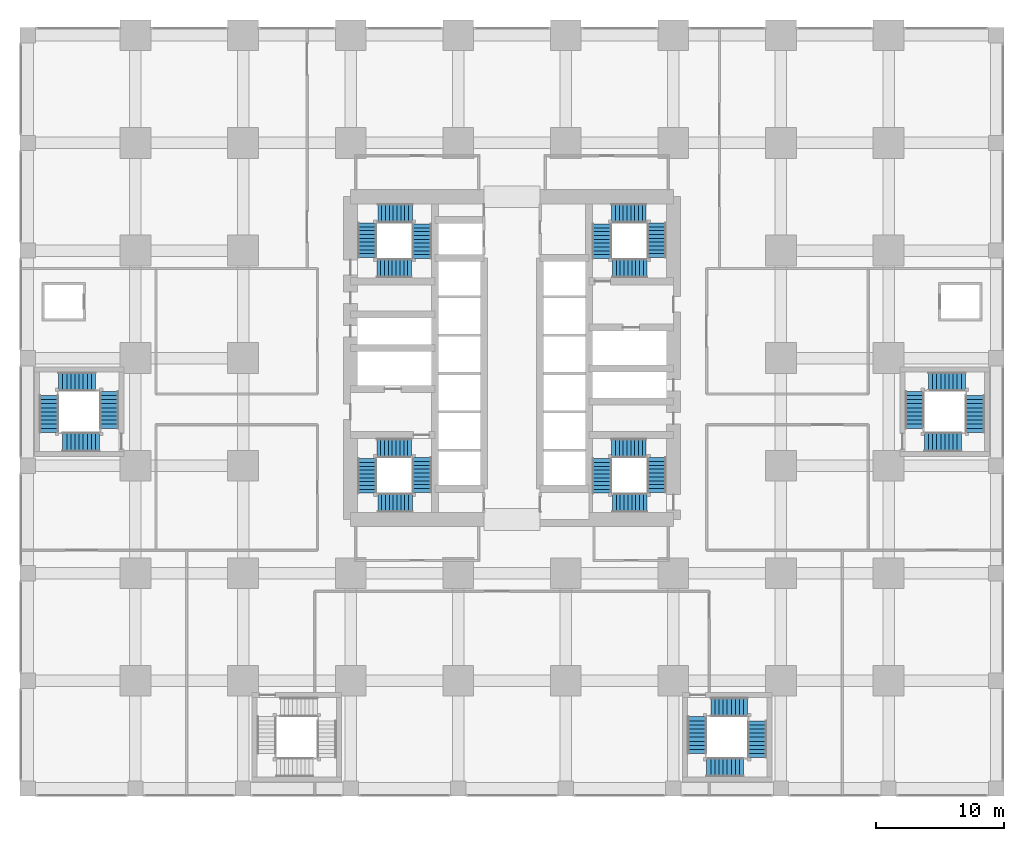
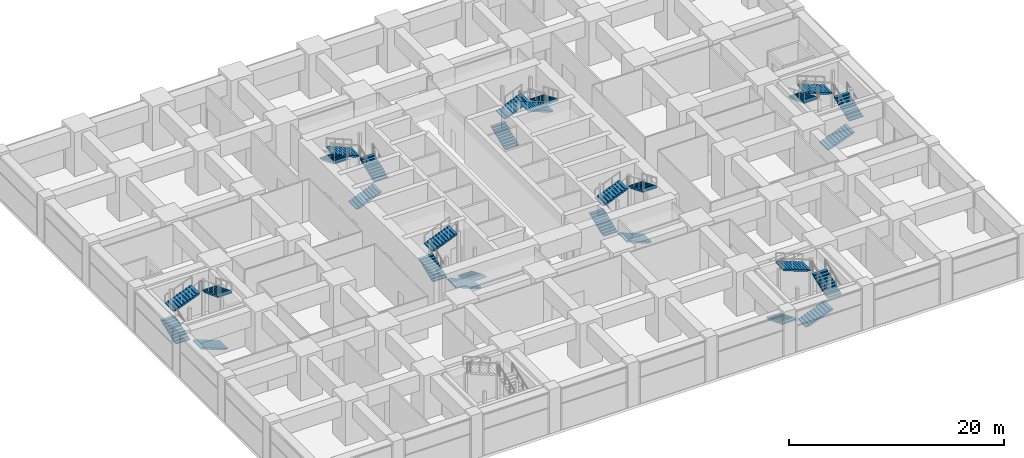
# One storey, part 40 of 49: 28 stair flights, 7 elements without a shape of their own.
"""IFC4 building model written with IfcOpenShell, lengths in metres."""

import ifcopenshell
import ifcopenshell.guid

model = None  # the IFC model being written
_history = None  # IfcOwnerHistory: only IFC2X3 demands one
_inside = {}  # id of a spatial element -> (the spatial element, [elements in it])
_under = {}  # id of a project, library or spatial element -> (it, [spatial elements below it])
_declared = {}  # id of a project -> (the project, [libraries it declares])
_typed = {}  # id of a type object -> (the type object, [elements of that type])
_made_of = {}  # id of a material, layer set ... -> (it, [elements and type objects made of it])


def new_model(schema):
    """Start an empty IFC model of exactly this schema.

    Asked for "IFC4X3", IfcOpenShell would pick the latest addendum, in which some entities
    have other attributes; the version numbers below select the first issue.
    IFC2X3 requires an IfcOwnerHistory on every rooted entity: one is made here for all.
    """
    global model, _history
    if schema == "IFC4X3":
        model = ifcopenshell.file(schema_version=(4, 3, 0, 0))
    else:
        model = ifcopenshell.file(schema=schema)
    _inside.clear()
    _under.clear()
    _declared.clear()
    _typed.clear()
    _made_of.clear()
    _history = None
    if model.schema == "IFC2X3":
        org = make("IfcOrganization", Name="unknown")
        user = make(
            "IfcPersonAndOrganization",
            ThePerson=make("IfcPerson", FamilyName="unknown"),
            TheOrganization=org,
        )
        app = make(
            "IfcApplication",
            ApplicationDeveloper=org,
            Version="unknown",
            ApplicationFullName="unknown",
            ApplicationIdentifier="unknown",
        )
        _history = make(
            "IfcOwnerHistory",
            OwningUser=user,
            OwningApplication=app,
            ChangeAction="ADDED",
            CreationDate=0,
        )
    return model


def make(cls, **values):
    """One entity of the class cls with the attributes given. An attribute that is None is left unset."""
    return model.create_entity(
        cls, **{name: value for name, value in values.items() if value is not None}
    )


def rooted(cls, **values):
    """An entity with a GlobalId (a new one), such as an element, a storey or a relation."""
    return make(cls, GlobalId=ifcopenshell.guid.new(), OwnerHistory=_history, **values)


def si_unit(unit_type, name, prefix=None):
    """IfcSIUnit, for example si_unit("LENGTHUNIT", "METRE", prefix="MILLI")."""
    return make("IfcSIUnit", UnitType=unit_type, Prefix=prefix, Name=name)


def assignment(units):
    """IfcUnitAssignment: the units of a project."""
    return None if units is None else make("IfcUnitAssignment", Units=units)


def point(xyz):
    """IfcCartesianPoint."""
    return None if xyz is None else make("IfcCartesianPoint", Coordinates=xyz)


def direction(xyz):
    """IfcDirection."""
    return None if xyz is None else make("IfcDirection", DirectionRatios=xyz)


def frame(location, z_axis=None, x_axis=None):
    """IfcAxis2Placement3D, a coordinate frame: its origin and axes. An axis left out is left unset."""
    return make(
        "IfcAxis2Placement3D",
        Location=point(location),
        Axis=direction(z_axis),
        RefDirection=direction(x_axis),
    )


def origin():
    """The frame at (0, 0, 0) with its axes left unset."""
    return frame((0.0, 0.0, 0.0))


def place(relative_to, where):
    """IfcLocalPlacement: puts the frame where relative to a parent placement (None: the world)."""
    return make(
        "IfcLocalPlacement", PlacementRelTo=relative_to, RelativePlacement=where
    )


def context(
    kind, dimensions, precision=None, world=None, true_north=None, identifier=None
):
    """IfcGeometricRepresentationContext, for example the 3D "Model" context."""
    return make(
        "IfcGeometricRepresentationContext",
        ContextIdentifier=identifier,
        ContextType=kind,
        CoordinateSpaceDimension=dimensions,
        Precision=precision,
        WorldCoordinateSystem=world,
        TrueNorth=true_north,
    )


def subcontext(parent, identifier, kind, view, scale=None):
    """IfcGeometricRepresentationSubContext, for example "Body" below "Model"."""
    return make(
        "IfcGeometricRepresentationSubContext",
        ContextIdentifier=identifier,
        ContextType=kind,
        ParentContext=parent,
        TargetScale=scale,
        TargetView=view,
    )


def project(units=None, contexts=None):
    """IfcProject with its units and contexts."""
    return rooted(
        "IfcProject",
        Name="project",
        RepresentationContexts=contexts,
        UnitsInContext=assignment(units),
    )


def spatial(cls, under=None, at=None, **own):
    """A site, building, storey or space (cls), placed at a placement, below another one or the project."""
    s = rooted(cls, ObjectPlacement=at, **own)
    if under is not None:
        _under.setdefault(under.id(), (under, []))[1].append(s)
    return s


def polyline(points):
    """IfcPolyline through the points."""
    return make("IfcPolyline", Points=[point(p) for p in points])


def outline(outer, holes=None, kind="AREA"):
    """IfcArbitraryClosedProfileDef: a profile drawn as a closed curve; with holes, ...WithVoids."""
    if holes is None:
        return make("IfcArbitraryClosedProfileDef", ProfileType=kind, OuterCurve=outer)
    return make(
        "IfcArbitraryProfileDefWithVoids",
        ProfileType=kind,
        OuterCurve=outer,
        InnerCurves=holes,
    )


def extrude(swept, where, along, depth):
    """IfcExtrudedAreaSolid: the profile swept, set in the frame where, extruded along a direction by depth."""
    return make(
        "IfcExtrudedAreaSolid",
        SweptArea=swept,
        Position=where,
        ExtrudedDirection=direction(along),
        Depth=depth,
    )


def shape(context_of_items, identifier, shape_type, items):
    """IfcShapeRepresentation: the items that make up one representation, for example the "Body"."""
    return make(
        "IfcShapeRepresentation",
        ContextOfItems=context_of_items,
        RepresentationIdentifier=identifier,
        RepresentationType=shape_type,
        Items=items,
    )


def material(Name=None, Category=None):
    """IfcMaterial."""
    return make("IfcMaterial", Name=Name, Category=Category)


def made_of(thing, what):
    """Note that an element or type object is made of a material, layer set ...; save() writes the relation."""
    if what is not None:
        _made_of.setdefault(what.id(), (what, []))[1].append(thing)
    return thing


def type_object(cls, material=None, **own):
    """A type object (cls), such as IfcWallType, which elements share."""
    return made_of(rooted(cls, **own), material)


def element(
    cls,
    number,
    at=None,
    inside=None,
    cuts=None,
    type_object=None,
    material=None,
    context=None,
    identifier="Body",
    shape_type=None,
    held_by="IfcProductDefinitionShape",
    body=None,
    shapes=None,
    **own,
):
    """One element of the class cls, such as IfcWall. Its Tag is "e" and its number.

    at: its placement. inside: the storey or other place that contains it. cuts: it is an
    opening in that element (IfcRelVoidsElement). A single representation is given by context,
    identifier, shape_type and body (its items); several are given by shapes. held_by: the class
    of the entity that holds the representations. save() writes the other relations.
    """
    e = rooted(cls, Tag="e%d" % number, ObjectPlacement=at, **own)
    if body is not None:
        shapes = [shape(context, identifier, shape_type, body)]
    if shapes is not None:
        e.Representation = make(held_by, Representations=shapes)
    if inside is not None:
        _inside.setdefault(inside.id(), (inside, []))[1].append(e)
    if cuts is not None:
        rooted(
            "IfcRelVoidsElement", RelatingBuildingElement=cuts, RelatedOpeningElement=e
        )
    if type_object is not None:
        _typed.setdefault(type_object.id(), (type_object, []))[1].append(e)
    return made_of(e, material)


def aggregate(whole, parts):
    """IfcRelAggregates: a whole, such as a stair, and the parts it consists of."""
    return rooted("IfcRelAggregates", RelatingObject=whole, RelatedObjects=parts)


def save(model, path):
    """Write the relations noted so far, then the file.

    IfcRelAggregates (storeys below a building ...), IfcRelContainedInSpatialStructure (elements
    in a storey), IfcRelDefinesByType, IfcRelAssociatesMaterial and IfcRelDeclares: one each for
    every whole, place, type object, material and project.
    """
    for whole, parts in _under.values():
        aggregate(whole, parts)
    for where, things in _inside.values():
        rooted(
            "IfcRelContainedInSpatialStructure",
            RelatedElements=things,
            RelatingStructure=where,
        )
    for kind, things in _typed.values():
        rooted("IfcRelDefinesByType", RelatedObjects=things, RelatingType=kind)
    for what, things in _made_of.values():
        rooted("IfcRelAssociatesMaterial", RelatedObjects=things, RelatingMaterial=what)
    for by, libraries in _declared.values():
        rooted("IfcRelDeclares", RelatingContext=by, RelatedDefinitions=libraries)
    model.write(path)


model = new_model("IFC4")

# Units and contexts
model_context = context("Model", 3, precision=1e-05, world=origin(), true_north=direction((0.0, 1.0)))
body_context = subcontext(model_context, "Body", "Model", "MODEL_VIEW")
ifc_project = project(units=[si_unit("LENGTHUNIT", "METRE"), si_unit("AREAUNIT", "SQUARE_METRE"), si_unit("VOLUMEUNIT", "CUBIC_METRE"), si_unit("PLANEANGLEUNIT", "RADIAN"), si_unit("MASSUNIT", "GRAM", prefix="KILO")], contexts=[model_context])

# Site, building, storey
site_placement = place(None, origin())
site = spatial("IfcSite", under=ifc_project, at=site_placement, CompositionType="ELEMENT")
building_placement = place(site_placement, origin())
building = spatial("IfcBuilding", under=site, at=building_placement, Name="Rekha Terrace Tower", CompositionType="ELEMENT")
storey_placement = place(building_placement, frame((0.0, 0.0, 5.39990234375)))
storey = spatial("IfcBuildingStorey", under=building, at=storey_placement, Name="L01", CompositionType="ELEMENT", Elevation=5.39990234375)

# Stair, stair flights
ifc_material = material(Name="Concrete M40", Category="concrete")
stair_type_1 = type_object("IfcStairType", Name="ST40 stair, 40 risers of 125, going 300, 1500 wide flights, 4 flights", PredefinedType="QUARTER_TURN_STAIR", material=ifc_material)
stair_1_placement = place(storey_placement, origin())
stair_1 = element("IfcStair", 1, at=stair_1_placement, inside=storey, type_object=stair_type_1, Name="Stair ST1 L01 to L02", PredefinedType="QUARTER_TURN_STAIR")
stair_flight_type_1 = type_object("IfcStairFlightType", Name="SF10 stair flight, 10 risers of 125, going 300, 1500 wide", PredefinedType="STRAIGHT", material=ifc_material)
stair_flight_1_placement = place(storey_placement, frame((30.77490234375, 25.824951171875, 0.0), z_axis=(0.0, 0.0, 1.0), x_axis=(0.0, -1.0, 0.0)))
stair_flight_1 = element("IfcStairFlight", 2, at=stair_flight_1_placement, type_object=stair_flight_type_1, Name="ST1 flight 1", NumberOfRisers=10, NumberOfTreads=9, PredefinedType="STRAIGHT", RiserHeight=0.125, TreadLength=0.3, context=body_context, shape_type="SweptSolid", body=[
    extrude(outline(polyline([(0.0, 0.0), (0.0, 0.125), (0.300048828125, 0.125), (0.300048828125, 0.25), (0.60009765625, 0.25), (0.60009765625, 0.375), (0.89990234375, 0.375), (0.89990234375, 0.5), (1.199951171875, 0.5), (1.199951171875, 0.625), (1.5, 0.625), (1.5, 0.75), (1.800048828125, 0.75), (1.800048828125, 0.875), (2.10009765625, 0.875), (2.10009765625, 1.0), (2.39990234375, 1.0), (2.39990234375, 1.125), (2.699951171875, 1.125), (2.699951171875, 1.25), (2.699951171875, 0.962646484375), (0.3896484375, 0.0), (0.0, 0.0)])), frame((0.0, 0.75, 0.0), z_axis=(0.0, -1.0, 0.0), x_axis=(1.0, 0.0, 0.0)), (0.0, 0.0, 1.0), 1.5),
])
stair_flight_2_placement = place(storey_placement, frame((30.02490234375, 22.300048828125, 1.25), z_axis=(0.0, 0.0, 1.0), x_axis=(-1.0, 0.0, 0.0)))
stair_flight_2 = element("IfcStairFlight", 3, at=stair_flight_2_placement, type_object=stair_flight_type_1, Name="ST1 flight 2", NumberOfRisers=10, NumberOfTreads=9, PredefinedType="STRAIGHT", RiserHeight=0.125, TreadLength=0.3, context=body_context, shape_type="SweptSolid", body=[
    extrude(outline(polyline([(0.0, 0.0), (0.0, 0.125), (0.300048828125, 0.125), (0.300048828125, 0.25), (0.60009765625, 0.25), (0.60009765625, 0.375), (0.89990234375, 0.375), (0.89990234375, 0.5), (1.199951171875, 0.5), (1.199951171875, 0.625), (1.5, 0.625), (1.5, 0.75), (1.800048828125, 0.75), (1.800048828125, 0.875), (2.10009765625, 0.875), (2.10009765625, 1.0), (2.39990234375, 1.0), (2.39990234375, 1.125), (2.699951171875, 1.125), (2.699951171875, 1.25), (2.699951171875, 0.962646484375), (0.3896484375, 0.0), (0.0, 0.0)])), frame((0.0, 0.75, 0.0), z_axis=(0.0, -1.0, 0.0), x_axis=(1.0, 0.0, 0.0)), (0.0, 0.0, 1.0), 1.5),
])
stair_flight_3_placement = place(storey_placement, frame((26.5, 23.050048828125, 2.5), z_axis=(0.0, 0.0, 1.0), x_axis=(0.0, 1.0, 0.0)))
stair_flight_3 = element("IfcStairFlight", 4, at=stair_flight_3_placement, type_object=stair_flight_type_1, Name="ST1 flight 3", NumberOfRisers=10, NumberOfTreads=9, PredefinedType="STRAIGHT", RiserHeight=0.125, TreadLength=0.3, context=body_context, shape_type="SweptSolid", body=[
    extrude(outline(polyline([(0.0, 0.0), (0.0, 0.125), (0.300048828125, 0.125), (0.300048828125, 0.25), (0.60009765625, 0.25), (0.60009765625, 0.375), (0.89990234375, 0.375), (0.89990234375, 0.5), (1.199951171875, 0.5), (1.199951171875, 0.625), (1.5, 0.625), (1.5, 0.75), (1.800048828125, 0.75), (1.800048828125, 0.875), (2.10009765625, 0.875), (2.10009765625, 1.0), (2.39990234375, 1.0), (2.39990234375, 1.125), (2.699951171875, 1.125), (2.699951171875, 1.25), (2.699951171875, 0.962646484375), (0.3896484375, 0.0), (0.0, 0.0)])), frame((0.0, 0.75, 0.0), z_axis=(0.0, -1.0, 0.0), x_axis=(1.0, 0.0, 0.0)), (0.0, 0.0, 1.0), 1.5),
])
stair_flight_4_placement = place(storey_placement, frame((27.25, 26.574951171875, 3.75), z_axis=(0.0, 0.0, 1.0), x_axis=(1.0, 0.0, 0.0)))
stair_flight_4 = element("IfcStairFlight", 5, at=stair_flight_4_placement, type_object=stair_flight_type_1, Name="ST1 flight 4", NumberOfRisers=10, NumberOfTreads=9, PredefinedType="STRAIGHT", RiserHeight=0.125, TreadLength=0.3, context=body_context, shape_type="SweptSolid", body=[
    extrude(outline(polyline([(0.0, 0.0), (0.0, 0.125), (0.300048828125, 0.125), (0.300048828125, 0.25), (0.60009765625, 0.25), (0.60009765625, 0.375), (0.89990234375, 0.375), (0.89990234375, 0.5), (1.199951171875, 0.5), (1.199951171875, 0.625), (1.5, 0.625), (1.5, 0.75), (1.800048828125, 0.75), (1.800048828125, 0.875), (2.10009765625, 0.875), (2.10009765625, 1.0), (2.39990234375, 1.0), (2.39990234375, 1.125), (2.699951171875, 1.125), (2.699951171875, 1.25), (2.699951171875, 0.962646484375), (0.3896484375, 0.0), (0.0, 0.0)])), frame((0.0, 0.75, 0.0), z_axis=(0.0, -1.0, 0.0), x_axis=(1.0, 0.0, 0.0)), (0.0, 0.0, 1.0), 1.5),
])
aggregate(stair_1, [stair_flight_1, stair_flight_2, stair_flight_3, stair_flight_4])

stair_2_placement = place(storey_placement, origin())
stair_2 = element("IfcStair", 6, at=stair_2_placement, inside=storey, type_object=stair_type_1, Name="Stair ST2 L01 to L02", PredefinedType="QUARTER_TURN_STAIR")
stair_flight_5_placement = place(storey_placement, frame((44.824951171875, 41.375, 0.0), z_axis=(0.0, 0.0, 1.0), x_axis=(0.0, 1.0, 0.0)))
stair_flight_5 = element("IfcStairFlight", 7, at=stair_flight_5_placement, type_object=stair_flight_type_1, Name="ST2 flight 1", NumberOfRisers=10, NumberOfTreads=9, PredefinedType="STRAIGHT", RiserHeight=0.125, TreadLength=0.3, context=body_context, shape_type="SweptSolid", body=[
    extrude(outline(polyline([(0.0, 0.0), (0.0, 0.125), (0.300048828125, 0.125), (0.300048828125, 0.25), (0.60009765625, 0.25), (0.60009765625, 0.375), (0.89990234375, 0.375), (0.89990234375, 0.5), (1.199951171875, 0.5), (1.199951171875, 0.625), (1.5, 0.625), (1.5, 0.75), (1.800048828125, 0.75), (1.800048828125, 0.875), (2.10009765625, 0.875), (2.10009765625, 1.0), (2.39990234375, 1.0), (2.39990234375, 1.125), (2.699951171875, 1.125), (2.699951171875, 1.25), (2.699951171875, 0.962646484375), (0.3896484375, 0.0), (0.0, 0.0)])), frame((0.0, 0.75, 0.0), z_axis=(0.0, -1.0, 0.0), x_axis=(1.0, 0.0, 0.0)), (0.0, 0.0, 1.0), 1.5),
])
stair_flight_6_placement = place(storey_placement, frame((45.574951171875, 44.89990234375, 1.25), z_axis=(0.0, 0.0, 1.0), x_axis=(1.0, 0.0, 0.0)))
stair_flight_6 = element("IfcStairFlight", 8, at=stair_flight_6_placement, type_object=stair_flight_type_1, Name="ST2 flight 2", NumberOfRisers=10, NumberOfTreads=9, PredefinedType="STRAIGHT", RiserHeight=0.125, TreadLength=0.3, context=body_context, shape_type="SweptSolid", body=[
    extrude(outline(polyline([(0.0, 0.0), (0.0, 0.125), (0.300048828125, 0.125), (0.300048828125, 0.25), (0.60009765625, 0.25), (0.60009765625, 0.375), (0.89990234375, 0.375), (0.89990234375, 0.5), (1.199951171875, 0.5), (1.199951171875, 0.625), (1.5, 0.625), (1.5, 0.75), (1.800048828125, 0.75), (1.800048828125, 0.875), (2.10009765625, 0.875), (2.10009765625, 1.0), (2.39990234375, 1.0), (2.39990234375, 1.125), (2.699951171875, 1.125), (2.699951171875, 1.25), (2.699951171875, 0.962646484375), (0.3896484375, 0.0), (0.0, 0.0)])), frame((0.0, 0.75, 0.0), z_axis=(0.0, -1.0, 0.0), x_axis=(1.0, 0.0, 0.0)), (0.0, 0.0, 1.0), 1.5),
])
stair_flight_7_placement = place(storey_placement, frame((49.10009765625, 44.14990234375, 2.5), z_axis=(0.0, 0.0, 1.0), x_axis=(0.0, -1.0, 0.0)))
stair_flight_7 = element("IfcStairFlight", 9, at=stair_flight_7_placement, type_object=stair_flight_type_1, Name="ST2 flight 3", NumberOfRisers=10, NumberOfTreads=9, PredefinedType="STRAIGHT", RiserHeight=0.125, TreadLength=0.3, context=body_context, shape_type="SweptSolid", body=[
    extrude(outline(polyline([(0.0, 0.0), (0.0, 0.125), (0.300048828125, 0.125), (0.300048828125, 0.25), (0.60009765625, 0.25), (0.60009765625, 0.375), (0.89990234375, 0.375), (0.89990234375, 0.5), (1.199951171875, 0.5), (1.199951171875, 0.625), (1.5, 0.625), (1.5, 0.75), (1.800048828125, 0.75), (1.800048828125, 0.875), (2.10009765625, 0.875), (2.10009765625, 1.0), (2.39990234375, 1.0), (2.39990234375, 1.125), (2.699951171875, 1.125), (2.699951171875, 1.25), (2.699951171875, 0.962646484375), (0.3896484375, 0.0), (0.0, 0.0)])), frame((0.0, 0.75, 0.0), z_axis=(0.0, -1.0, 0.0), x_axis=(1.0, 0.0, 0.0)), (0.0, 0.0, 1.0), 1.5),
])
stair_flight_8_placement = place(storey_placement, frame((48.35009765625, 40.625, 3.75), z_axis=(0.0, 0.0, 1.0), x_axis=(-1.0, 0.0, 0.0)))
stair_flight_8 = element("IfcStairFlight", 10, at=stair_flight_8_placement, type_object=stair_flight_type_1, Name="ST2 flight 4", NumberOfRisers=10, NumberOfTreads=9, PredefinedType="STRAIGHT", RiserHeight=0.125, TreadLength=0.3, context=body_context, shape_type="SweptSolid", body=[
    extrude(outline(polyline([(0.0, 0.0), (0.0, 0.125), (0.300048828125, 0.125), (0.300048828125, 0.25), (0.60009765625, 0.25), (0.60009765625, 0.375), (0.89990234375, 0.375), (0.89990234375, 0.5), (1.199951171875, 0.5), (1.199951171875, 0.625), (1.5, 0.625), (1.5, 0.75), (1.800048828125, 0.75), (1.800048828125, 0.875), (2.10009765625, 0.875), (2.10009765625, 1.0), (2.39990234375, 1.0), (2.39990234375, 1.125), (2.699951171875, 1.125), (2.699951171875, 1.25), (2.699951171875, 0.962646484375), (0.3896484375, 0.0), (0.0, 0.0)])), frame((0.0, 0.75, 0.0), z_axis=(0.0, -1.0, 0.0), x_axis=(1.0, 0.0, 0.0)), (0.0, 0.0, 1.0), 1.5),
])
aggregate(stair_2, [stair_flight_5, stair_flight_6, stair_flight_7, stair_flight_8])

stair_3_placement = place(storey_placement, origin())
stair_3 = element("IfcStair", 11, at=stair_3_placement, inside=storey, type_object=stair_type_1, Name="Stair ST3 L01 to L02", PredefinedType="QUARTER_TURN_STAIR")
stair_flight_9_placement = place(storey_placement, frame((48.35009765625, 22.300048828125, 0.0), z_axis=(0.0, 0.0, 1.0), x_axis=(-1.0, 0.0, 0.0)))
stair_flight_9 = element("IfcStairFlight", 12, at=stair_flight_9_placement, type_object=stair_flight_type_1, Name="ST3 flight 1", NumberOfRisers=10, NumberOfTreads=9, PredefinedType="STRAIGHT", RiserHeight=0.125, TreadLength=0.3, context=body_context, shape_type="SweptSolid", body=[
    extrude(outline(polyline([(0.0, 0.0), (0.0, 0.125), (0.300048828125, 0.125), (0.300048828125, 0.25), (0.60009765625, 0.25), (0.60009765625, 0.375), (0.89990234375, 0.375), (0.89990234375, 0.5), (1.199951171875, 0.5), (1.199951171875, 0.625), (1.5, 0.625), (1.5, 0.75), (1.800048828125, 0.75), (1.800048828125, 0.875), (2.10009765625, 0.875), (2.10009765625, 1.0), (2.39990234375, 1.0), (2.39990234375, 1.125), (2.699951171875, 1.125), (2.699951171875, 1.25), (2.699951171875, 0.962646484375), (0.3896484375, 0.0), (0.0, 0.0)])), frame((0.0, 0.75, 0.0), z_axis=(0.0, -1.0, 0.0), x_axis=(1.0, 0.0, 0.0)), (0.0, 0.0, 1.0), 1.5),
])
stair_flight_10_placement = place(storey_placement, frame((44.824951171875, 23.050048828125, 1.25), z_axis=(0.0, 0.0, 1.0), x_axis=(0.0, 1.0, 0.0)))
stair_flight_10 = element("IfcStairFlight", 13, at=stair_flight_10_placement, type_object=stair_flight_type_1, Name="ST3 flight 2", NumberOfRisers=10, NumberOfTreads=9, PredefinedType="STRAIGHT", RiserHeight=0.125, TreadLength=0.3, context=body_context, shape_type="SweptSolid", body=[
    extrude(outline(polyline([(0.0, 0.0), (0.0, 0.125), (0.300048828125, 0.125), (0.300048828125, 0.25), (0.60009765625, 0.25), (0.60009765625, 0.375), (0.89990234375, 0.375), (0.89990234375, 0.5), (1.199951171875, 0.5), (1.199951171875, 0.625), (1.5, 0.625), (1.5, 0.75), (1.800048828125, 0.75), (1.800048828125, 0.875), (2.10009765625, 0.875), (2.10009765625, 1.0), (2.39990234375, 1.0), (2.39990234375, 1.125), (2.699951171875, 1.125), (2.699951171875, 1.25), (2.699951171875, 0.962646484375), (0.3896484375, 0.0), (0.0, 0.0)])), frame((0.0, 0.75, 0.0), z_axis=(0.0, -1.0, 0.0), x_axis=(1.0, 0.0, 0.0)), (0.0, 0.0, 1.0), 1.5),
])
stair_flight_11_placement = place(storey_placement, frame((45.574951171875, 26.574951171875, 2.5), z_axis=(0.0, 0.0, 1.0), x_axis=(1.0, 0.0, 0.0)))
stair_flight_11 = element("IfcStairFlight", 14, at=stair_flight_11_placement, type_object=stair_flight_type_1, Name="ST3 flight 3", NumberOfRisers=10, NumberOfTreads=9, PredefinedType="STRAIGHT", RiserHeight=0.125, TreadLength=0.3, context=body_context, shape_type="SweptSolid", body=[
    extrude(outline(polyline([(0.0, 0.0), (0.0, 0.125), (0.300048828125, 0.125), (0.300048828125, 0.25), (0.60009765625, 0.25), (0.60009765625, 0.375), (0.89990234375, 0.375), (0.89990234375, 0.5), (1.199951171875, 0.5), (1.199951171875, 0.625), (1.5, 0.625), (1.5, 0.75), (1.800048828125, 0.75), (1.800048828125, 0.875), (2.10009765625, 0.875), (2.10009765625, 1.0), (2.39990234375, 1.0), (2.39990234375, 1.125), (2.699951171875, 1.125), (2.699951171875, 1.25), (2.699951171875, 0.962646484375), (0.3896484375, 0.0), (0.0, 0.0)])), frame((0.0, 0.75, 0.0), z_axis=(0.0, -1.0, 0.0), x_axis=(1.0, 0.0, 0.0)), (0.0, 0.0, 1.0), 1.5),
])
stair_flight_12_placement = place(storey_placement, frame((49.10009765625, 25.824951171875, 3.75), z_axis=(0.0, 0.0, 1.0), x_axis=(0.0, -1.0, 0.0)))
stair_flight_12 = element("IfcStairFlight", 15, at=stair_flight_12_placement, type_object=stair_flight_type_1, Name="ST3 flight 4", NumberOfRisers=10, NumberOfTreads=9, PredefinedType="STRAIGHT", RiserHeight=0.125, TreadLength=0.3, context=body_context, shape_type="SweptSolid", body=[
    extrude(outline(polyline([(0.0, 0.0), (0.0, 0.125), (0.300048828125, 0.125), (0.300048828125, 0.25), (0.60009765625, 0.25), (0.60009765625, 0.375), (0.89990234375, 0.375), (0.89990234375, 0.5), (1.199951171875, 0.5), (1.199951171875, 0.625), (1.5, 0.625), (1.5, 0.75), (1.800048828125, 0.75), (1.800048828125, 0.875), (2.10009765625, 0.875), (2.10009765625, 1.0), (2.39990234375, 1.0), (2.39990234375, 1.125), (2.699951171875, 1.125), (2.699951171875, 1.25), (2.699951171875, 0.962646484375), (0.3896484375, 0.0), (0.0, 0.0)])), frame((0.0, 0.75, 0.0), z_axis=(0.0, -1.0, 0.0), x_axis=(1.0, 0.0, 0.0)), (0.0, 0.0, 1.0), 1.5),
])
aggregate(stair_3, [stair_flight_9, stair_flight_10, stair_flight_11, stair_flight_12])

stair_4_placement = place(storey_placement, origin())
stair_4 = element("IfcStair", 16, at=stair_4_placement, inside=storey, type_object=stair_type_1, Name="Stair ST4 L01 to L02", PredefinedType="QUARTER_TURN_STAIR")
stair_flight_13_placement = place(storey_placement, frame((27.25, 40.625, 0.0), z_axis=(0.0, 0.0, 1.0), x_axis=(1.0, 0.0, 0.0)))
stair_flight_13 = element("IfcStairFlight", 17, at=stair_flight_13_placement, type_object=stair_flight_type_1, Name="ST4 flight 1", NumberOfRisers=10, NumberOfTreads=9, PredefinedType="STRAIGHT", RiserHeight=0.125, TreadLength=0.3, context=body_context, shape_type="SweptSolid", body=[
    extrude(outline(polyline([(0.0, 0.0), (0.0, 0.125), (0.300048828125, 0.125), (0.300048828125, 0.25), (0.60009765625, 0.25), (0.60009765625, 0.375), (0.89990234375, 0.375), (0.89990234375, 0.5), (1.199951171875, 0.5), (1.199951171875, 0.625), (1.5, 0.625), (1.5, 0.75), (1.800048828125, 0.75), (1.800048828125, 0.875), (2.10009765625, 0.875), (2.10009765625, 1.0), (2.39990234375, 1.0), (2.39990234375, 1.125), (2.699951171875, 1.125), (2.699951171875, 1.25), (2.699951171875, 0.962646484375), (0.3896484375, 0.0), (0.0, 0.0)])), frame((0.0, 0.75, 0.0), z_axis=(0.0, -1.0, 0.0), x_axis=(1.0, 0.0, 0.0)), (0.0, 0.0, 1.0), 1.5),
])
stair_flight_14_placement = place(storey_placement, frame((30.77490234375, 41.375, 1.25), z_axis=(0.0, 0.0, 1.0), x_axis=(0.0, 1.0, 0.0)))
stair_flight_14 = element("IfcStairFlight", 18, at=stair_flight_14_placement, type_object=stair_flight_type_1, Name="ST4 flight 2", NumberOfRisers=10, NumberOfTreads=9, PredefinedType="STRAIGHT", RiserHeight=0.125, TreadLength=0.3, context=body_context, shape_type="SweptSolid", body=[
    extrude(outline(polyline([(0.0, 0.0), (0.0, 0.125), (0.300048828125, 0.125), (0.300048828125, 0.25), (0.60009765625, 0.25), (0.60009765625, 0.375), (0.89990234375, 0.375), (0.89990234375, 0.5), (1.199951171875, 0.5), (1.199951171875, 0.625), (1.5, 0.625), (1.5, 0.75), (1.800048828125, 0.75), (1.800048828125, 0.875), (2.10009765625, 0.875), (2.10009765625, 1.0), (2.39990234375, 1.0), (2.39990234375, 1.125), (2.699951171875, 1.125), (2.699951171875, 1.25), (2.699951171875, 0.962646484375), (0.3896484375, 0.0), (0.0, 0.0)])), frame((0.0, 0.75, 0.0), z_axis=(0.0, -1.0, 0.0), x_axis=(1.0, 0.0, 0.0)), (0.0, 0.0, 1.0), 1.5),
])
stair_flight_15_placement = place(storey_placement, frame((30.02490234375, 44.89990234375, 2.5), z_axis=(0.0, 0.0, 1.0), x_axis=(-1.0, 0.0, 0.0)))
stair_flight_15 = element("IfcStairFlight", 19, at=stair_flight_15_placement, type_object=stair_flight_type_1, Name="ST4 flight 3", NumberOfRisers=10, NumberOfTreads=9, PredefinedType="STRAIGHT", RiserHeight=0.125, TreadLength=0.3, context=body_context, shape_type="SweptSolid", body=[
    extrude(outline(polyline([(0.0, 0.0), (0.0, 0.125), (0.300048828125, 0.125), (0.300048828125, 0.25), (0.60009765625, 0.25), (0.60009765625, 0.375), (0.89990234375, 0.375), (0.89990234375, 0.5), (1.199951171875, 0.5), (1.199951171875, 0.625), (1.5, 0.625), (1.5, 0.75), (1.800048828125, 0.75), (1.800048828125, 0.875), (2.10009765625, 0.875), (2.10009765625, 1.0), (2.39990234375, 1.0), (2.39990234375, 1.125), (2.699951171875, 1.125), (2.699951171875, 1.25), (2.699951171875, 0.962646484375), (0.3896484375, 0.0), (0.0, 0.0)])), frame((0.0, 0.75, 0.0), z_axis=(0.0, -1.0, 0.0), x_axis=(1.0, 0.0, 0.0)), (0.0, 0.0, 1.0), 1.5),
])
stair_flight_16_placement = place(storey_placement, frame((26.5, 44.14990234375, 3.75), z_axis=(0.0, 0.0, 1.0), x_axis=(0.0, -1.0, 0.0)))
stair_flight_16 = element("IfcStairFlight", 20, at=stair_flight_16_placement, type_object=stair_flight_type_1, Name="ST4 flight 4", NumberOfRisers=10, NumberOfTreads=9, PredefinedType="STRAIGHT", RiserHeight=0.125, TreadLength=0.3, context=body_context, shape_type="SweptSolid", body=[
    extrude(outline(polyline([(0.0, 0.0), (0.0, 0.125), (0.300048828125, 0.125), (0.300048828125, 0.25), (0.60009765625, 0.25), (0.60009765625, 0.375), (0.89990234375, 0.375), (0.89990234375, 0.5), (1.199951171875, 0.5), (1.199951171875, 0.625), (1.5, 0.625), (1.5, 0.75), (1.800048828125, 0.75), (1.800048828125, 0.875), (2.10009765625, 0.875), (2.10009765625, 1.0), (2.39990234375, 1.0), (2.39990234375, 1.125), (2.699951171875, 1.125), (2.699951171875, 1.25), (2.699951171875, 0.962646484375), (0.3896484375, 0.0), (0.0, 0.0)])), frame((0.0, 0.75, 0.0), z_axis=(0.0, -1.0, 0.0), x_axis=(1.0, 0.0, 0.0)), (0.0, 0.0, 1.0), 1.5),
])
aggregate(stair_4, [stair_flight_13, stair_flight_14, stair_flight_15, stair_flight_16])

stair_type_2 = type_object("IfcStairType", Name="ST40 stair, 40 risers of 125, going 320, 1500 wide flights, 4 flights", PredefinedType="QUARTER_TURN_STAIR", material=ifc_material)
stair_5_placement = place(storey_placement, origin())
stair_5 = element("IfcStair", 21, at=stair_5_placement, inside=storey, type_object=stair_type_2, Name="Stair SP1 L01 to L02", PredefinedType="QUARTER_TURN_STAIR")
stair_flight_type_2 = type_object("IfcStairFlightType", Name="SF10 stair flight, 10 risers of 125, going 320, 1500 wide", PredefinedType="STRAIGHT", material=ifc_material)
stair_flight_17_placement = place(storey_placement, frame((5.60009765625, 27.050048828125, 0.0), z_axis=(0.0, 0.0, 1.0), x_axis=(-1.0, 0.0, 0.0)))
stair_flight_17 = element("IfcStairFlight", 22, at=stair_flight_17_placement, type_object=stair_flight_type_2, Name="SP1 flight 1", NumberOfRisers=10, NumberOfTreads=9, PredefinedType="STRAIGHT", RiserHeight=0.125, TreadLength=0.32, context=body_context, shape_type="SweptSolid", body=[
    extrude(outline(polyline([(0.0, 0.0), (0.0, 0.125), (0.320068359375, 0.125), (0.320068359375, 0.25), (0.639892578125, 0.25), (0.639892578125, 0.375), (0.9599609375, 0.375), (0.9599609375, 0.5), (1.280029296875, 0.5), (1.280029296875, 0.625), (1.60009765625, 0.625), (1.60009765625, 0.75), (1.919921875, 0.75), (1.919921875, 0.875), (2.239990234375, 0.875), (2.239990234375, 1.0), (2.56005859375, 1.0), (2.56005859375, 1.125), (2.8798828125, 1.125), (2.8798828125, 1.25), (2.8798828125, 0.964111328125), (0.412109375, 0.0), (0.0, 0.0)])), frame((0.0, 0.75, 0.0), z_axis=(0.0, -1.0, 0.0), x_axis=(1.0, 0.0, 0.0)), (0.0, 0.0, 1.0), 1.5),
])
stair_flight_18_placement = place(storey_placement, frame((1.64990234375, 27.800048828125, 1.25), z_axis=(0.0, 0.0, 1.0), x_axis=(0.0, 1.0, 0.0)))
stair_flight_18 = element("IfcStairFlight", 23, at=stair_flight_18_placement, type_object=stair_flight_type_2, Name="SP1 flight 2", NumberOfRisers=10, NumberOfTreads=9, PredefinedType="STRAIGHT", RiserHeight=0.125, TreadLength=0.32, context=body_context, shape_type="SweptSolid", body=[
    extrude(outline(polyline([(0.0, 0.0), (0.0, 0.125), (0.320068359375, 0.125), (0.320068359375, 0.25), (0.639892578125, 0.25), (0.639892578125, 0.375), (0.9599609375, 0.375), (0.9599609375, 0.5), (1.280029296875, 0.5), (1.280029296875, 0.625), (1.60009765625, 0.625), (1.60009765625, 0.75), (1.919921875, 0.75), (1.919921875, 0.875), (2.239990234375, 0.875), (2.239990234375, 1.0), (2.56005859375, 1.0), (2.56005859375, 1.125), (2.8798828125, 1.125), (2.8798828125, 1.25), (2.8798828125, 0.964111328125), (0.412109375, 0.0), (0.0, 0.0)])), frame((0.0, 0.75, 0.0), z_axis=(0.0, -1.0, 0.0), x_axis=(1.0, 0.0, 0.0)), (0.0, 0.0, 1.0), 1.5),
])
stair_flight_19_placement = place(storey_placement, frame((2.39990234375, 31.75, 2.5), z_axis=(0.0, 0.0, 1.0), x_axis=(1.0, 0.0, 0.0)))
stair_flight_19 = element("IfcStairFlight", 24, at=stair_flight_19_placement, type_object=stair_flight_type_2, Name="SP1 flight 3", NumberOfRisers=10, NumberOfTreads=9, PredefinedType="STRAIGHT", RiserHeight=0.125, TreadLength=0.32, context=body_context, shape_type="SweptSolid", body=[
    extrude(outline(polyline([(0.0, 0.0), (0.0, 0.125), (0.320068359375, 0.125), (0.320068359375, 0.25), (0.639892578125, 0.25), (0.639892578125, 0.375), (0.9599609375, 0.375), (0.9599609375, 0.5), (1.280029296875, 0.5), (1.280029296875, 0.625), (1.60009765625, 0.625), (1.60009765625, 0.75), (1.919921875, 0.75), (1.919921875, 0.875), (2.239990234375, 0.875), (2.239990234375, 1.0), (2.56005859375, 1.0), (2.56005859375, 1.125), (2.8798828125, 1.125), (2.8798828125, 1.25), (2.8798828125, 0.964111328125), (0.412109375, 0.0), (0.0, 0.0)])), frame((0.0, 0.75, 0.0), z_axis=(0.0, -1.0, 0.0), x_axis=(1.0, 0.0, 0.0)), (0.0, 0.0, 1.0), 1.5),
])
stair_flight_20_placement = place(storey_placement, frame((6.35009765625, 31.0, 3.75), z_axis=(0.0, 0.0, 1.0), x_axis=(0.0, -1.0, 0.0)))
stair_flight_20 = element("IfcStairFlight", 25, at=stair_flight_20_placement, type_object=stair_flight_type_2, Name="SP1 flight 4", NumberOfRisers=10, NumberOfTreads=9, PredefinedType="STRAIGHT", RiserHeight=0.125, TreadLength=0.32, context=body_context, shape_type="SweptSolid", body=[
    extrude(outline(polyline([(0.0, 0.0), (0.0, 0.125), (0.320068359375, 0.125), (0.320068359375, 0.25), (0.639892578125, 0.25), (0.639892578125, 0.375), (0.9599609375, 0.375), (0.9599609375, 0.5), (1.280029296875, 0.5), (1.280029296875, 0.625), (1.60009765625, 0.625), (1.60009765625, 0.75), (1.919921875, 0.75), (1.919921875, 0.875), (2.239990234375, 0.875), (2.239990234375, 1.0), (2.56005859375, 1.0), (2.56005859375, 1.125), (2.8798828125, 1.125), (2.8798828125, 1.25), (2.8798828125, 0.964111328125), (0.412109375, 0.0), (0.0, 0.0)])), frame((0.0, 0.75, 0.0), z_axis=(0.0, -1.0, 0.0), x_axis=(1.0, 0.0, 0.0)), (0.0, 0.0, 1.0), 1.5),
])
aggregate(stair_5, [stair_flight_17, stair_flight_18, stair_flight_19, stair_flight_20])

stair_6_placement = place(storey_placement, origin())
stair_6 = element("IfcStair", 26, at=stair_6_placement, inside=storey, type_object=stair_type_2, Name="Stair SP2 L01 to L02", PredefinedType="QUARTER_TURN_STAIR")
stair_flight_21_placement = place(storey_placement, frame((70.0, 27.050048828125, 0.0), z_axis=(0.0, 0.0, 1.0), x_axis=(1.0, 0.0, 0.0)))
stair_flight_21 = element("IfcStairFlight", 27, at=stair_flight_21_placement, type_object=stair_flight_type_2, Name="SP2 flight 1", NumberOfRisers=10, NumberOfTreads=9, PredefinedType="STRAIGHT", RiserHeight=0.125, TreadLength=0.32, context=body_context, shape_type="SweptSolid", body=[
    extrude(outline(polyline([(0.0, 0.0), (0.0, 0.125), (0.320068359375, 0.125), (0.320068359375, 0.25), (0.639892578125, 0.25), (0.639892578125, 0.375), (0.9599609375, 0.375), (0.9599609375, 0.5), (1.280029296875, 0.5), (1.280029296875, 0.625), (1.60009765625, 0.625), (1.60009765625, 0.75), (1.919921875, 0.75), (1.919921875, 0.875), (2.239990234375, 0.875), (2.239990234375, 1.0), (2.56005859375, 1.0), (2.56005859375, 1.125), (2.8798828125, 1.125), (2.8798828125, 1.25), (2.8798828125, 0.964111328125), (0.412109375, 0.0), (0.0, 0.0)])), frame((0.0, 0.75, 0.0), z_axis=(0.0, -1.0, 0.0), x_axis=(1.0, 0.0, 0.0)), (0.0, 0.0, 1.0), 1.5),
])
stair_flight_22_placement = place(storey_placement, frame((73.949951171875, 27.800048828125, 1.25), z_axis=(0.0, 0.0, 1.0), x_axis=(0.0, 1.0, 0.0)))
stair_flight_22 = element("IfcStairFlight", 28, at=stair_flight_22_placement, type_object=stair_flight_type_2, Name="SP2 flight 2", NumberOfRisers=10, NumberOfTreads=9, PredefinedType="STRAIGHT", RiserHeight=0.125, TreadLength=0.32, context=body_context, shape_type="SweptSolid", body=[
    extrude(outline(polyline([(0.0, 0.0), (0.0, 0.125), (0.320068359375, 0.125), (0.320068359375, 0.25), (0.639892578125, 0.25), (0.639892578125, 0.375), (0.9599609375, 0.375), (0.9599609375, 0.5), (1.280029296875, 0.5), (1.280029296875, 0.625), (1.60009765625, 0.625), (1.60009765625, 0.75), (1.919921875, 0.75), (1.919921875, 0.875), (2.239990234375, 0.875), (2.239990234375, 1.0), (2.56005859375, 1.0), (2.56005859375, 1.125), (2.8798828125, 1.125), (2.8798828125, 1.25), (2.8798828125, 0.964111328125), (0.412109375, 0.0), (0.0, 0.0)])), frame((0.0, 0.75, 0.0), z_axis=(0.0, -1.0, 0.0), x_axis=(1.0, 0.0, 0.0)), (0.0, 0.0, 1.0), 1.5),
])
stair_flight_23_placement = place(storey_placement, frame((73.199951171875, 31.75, 2.5), z_axis=(0.0, 0.0, 1.0), x_axis=(-1.0, 0.0, 0.0)))
stair_flight_23 = element("IfcStairFlight", 29, at=stair_flight_23_placement, type_object=stair_flight_type_2, Name="SP2 flight 3", NumberOfRisers=10, NumberOfTreads=9, PredefinedType="STRAIGHT", RiserHeight=0.125, TreadLength=0.32, context=body_context, shape_type="SweptSolid", body=[
    extrude(outline(polyline([(0.0, 0.0), (0.0, 0.125), (0.320068359375, 0.125), (0.320068359375, 0.25), (0.639892578125, 0.25), (0.639892578125, 0.375), (0.9599609375, 0.375), (0.9599609375, 0.5), (1.280029296875, 0.5), (1.280029296875, 0.625), (1.60009765625, 0.625), (1.60009765625, 0.75), (1.919921875, 0.75), (1.919921875, 0.875), (2.239990234375, 0.875), (2.239990234375, 1.0), (2.56005859375, 1.0), (2.56005859375, 1.125), (2.8798828125, 1.125), (2.8798828125, 1.25), (2.8798828125, 0.964111328125), (0.412109375, 0.0), (0.0, 0.0)])), frame((0.0, 0.75, 0.0), z_axis=(0.0, -1.0, 0.0), x_axis=(1.0, 0.0, 0.0)), (0.0, 0.0, 1.0), 1.5),
])
stair_flight_24_placement = place(storey_placement, frame((69.25, 31.0, 3.75), z_axis=(0.0, 0.0, 1.0), x_axis=(0.0, -1.0, 0.0)))
stair_flight_24 = element("IfcStairFlight", 30, at=stair_flight_24_placement, type_object=stair_flight_type_2, Name="SP2 flight 4", NumberOfRisers=10, NumberOfTreads=9, PredefinedType="STRAIGHT", RiserHeight=0.125, TreadLength=0.32, context=body_context, shape_type="SweptSolid", body=[
    extrude(outline(polyline([(0.0, 0.0), (0.0, 0.125), (0.320068359375, 0.125), (0.320068359375, 0.25), (0.639892578125, 0.25), (0.639892578125, 0.375), (0.9599609375, 0.375), (0.9599609375, 0.5), (1.280029296875, 0.5), (1.280029296875, 0.625), (1.60009765625, 0.625), (1.60009765625, 0.75), (1.919921875, 0.75), (1.919921875, 0.875), (2.239990234375, 0.875), (2.239990234375, 1.0), (2.56005859375, 1.0), (2.56005859375, 1.125), (2.8798828125, 1.125), (2.8798828125, 1.25), (2.8798828125, 0.964111328125), (0.412109375, 0.0), (0.0, 0.0)])), frame((0.0, 0.75, 0.0), z_axis=(0.0, -1.0, 0.0), x_axis=(1.0, 0.0, 0.0)), (0.0, 0.0, 1.0), 1.5),
])
aggregate(stair_6, [stair_flight_21, stair_flight_22, stair_flight_23, stair_flight_24])

stair_7_placement = place(storey_placement, origin())
stair_7 = element("IfcStair", 31, at=stair_7_placement, inside=storey, type_object=stair_type_2, Name="Stair SP4 L01 to L02", PredefinedType="QUARTER_TURN_STAIR")
stair_flight_25_placement = place(storey_placement, frame((52.25, 5.60009765625, 0.0), z_axis=(0.0, 0.0, 1.0), x_axis=(0.0, -1.0, 0.0)))
stair_flight_25 = element("IfcStairFlight", 32, at=stair_flight_25_placement, type_object=stair_flight_type_2, Name="SP4 flight 1", NumberOfRisers=10, NumberOfTreads=9, PredefinedType="STRAIGHT", RiserHeight=0.125, TreadLength=0.32, context=body_context, shape_type="SweptSolid", body=[
    extrude(outline(polyline([(0.0, 0.0), (0.0, 0.125), (0.320068359375, 0.125), (0.320068359375, 0.25), (0.639892578125, 0.25), (0.639892578125, 0.375), (0.9599609375, 0.375), (0.9599609375, 0.5), (1.280029296875, 0.5), (1.280029296875, 0.625), (1.60009765625, 0.625), (1.60009765625, 0.75), (1.919921875, 0.75), (1.919921875, 0.875), (2.239990234375, 0.875), (2.239990234375, 1.0), (2.56005859375, 1.0), (2.56005859375, 1.125), (2.8798828125, 1.125), (2.8798828125, 1.25), (2.8798828125, 0.964111328125), (0.412109375, 0.0), (0.0, 0.0)])), frame((0.0, 0.75, 0.0), z_axis=(0.0, -1.0, 0.0), x_axis=(1.0, 0.0, 0.0)), (0.0, 0.0, 1.0), 1.5),
])
stair_flight_26_placement = place(storey_placement, frame((53.0, 1.64990234375, 1.25), z_axis=(0.0, 0.0, 1.0), x_axis=(1.0, 0.0, 0.0)))
stair_flight_26 = element("IfcStairFlight", 33, at=stair_flight_26_placement, type_object=stair_flight_type_2, Name="SP4 flight 2", NumberOfRisers=10, NumberOfTreads=9, PredefinedType="STRAIGHT", RiserHeight=0.125, TreadLength=0.32, context=body_context, shape_type="SweptSolid", body=[
    extrude(outline(polyline([(0.0, 0.0), (0.0, 0.125), (0.320068359375, 0.125), (0.320068359375, 0.25), (0.639892578125, 0.25), (0.639892578125, 0.375), (0.9599609375, 0.375), (0.9599609375, 0.5), (1.280029296875, 0.5), (1.280029296875, 0.625), (1.60009765625, 0.625), (1.60009765625, 0.75), (1.919921875, 0.75), (1.919921875, 0.875), (2.239990234375, 0.875), (2.239990234375, 1.0), (2.56005859375, 1.0), (2.56005859375, 1.125), (2.8798828125, 1.125), (2.8798828125, 1.25), (2.8798828125, 0.964111328125), (0.412109375, 0.0), (0.0, 0.0)])), frame((0.0, 0.75, 0.0), z_axis=(0.0, -1.0, 0.0), x_axis=(1.0, 0.0, 0.0)), (0.0, 0.0, 1.0), 1.5),
])
stair_flight_27_placement = place(storey_placement, frame((56.949951171875, 2.39990234375, 2.5), z_axis=(0.0, 0.0, 1.0), x_axis=(0.0, 1.0, 0.0)))
stair_flight_27 = element("IfcStairFlight", 34, at=stair_flight_27_placement, type_object=stair_flight_type_2, Name="SP4 flight 3", NumberOfRisers=10, NumberOfTreads=9, PredefinedType="STRAIGHT", RiserHeight=0.125, TreadLength=0.32, context=body_context, shape_type="SweptSolid", body=[
    extrude(outline(polyline([(0.0, 0.0), (0.0, 0.125), (0.320068359375, 0.125), (0.320068359375, 0.25), (0.639892578125, 0.25), (0.639892578125, 0.375), (0.9599609375, 0.375), (0.9599609375, 0.5), (1.280029296875, 0.5), (1.280029296875, 0.625), (1.60009765625, 0.625), (1.60009765625, 0.75), (1.919921875, 0.75), (1.919921875, 0.875), (2.239990234375, 0.875), (2.239990234375, 1.0), (2.56005859375, 1.0), (2.56005859375, 1.125), (2.8798828125, 1.125), (2.8798828125, 1.25), (2.8798828125, 0.964111328125), (0.412109375, 0.0), (0.0, 0.0)])), frame((0.0, 0.75, 0.0), z_axis=(0.0, -1.0, 0.0), x_axis=(1.0, 0.0, 0.0)), (0.0, 0.0, 1.0), 1.5),
])
stair_flight_28_placement = place(storey_placement, frame((56.199951171875, 6.35009765625, 3.75), z_axis=(0.0, 0.0, 1.0), x_axis=(-1.0, 0.0, 0.0)))
stair_flight_28 = element("IfcStairFlight", 35, at=stair_flight_28_placement, type_object=stair_flight_type_2, Name="SP4 flight 4", NumberOfRisers=10, NumberOfTreads=9, PredefinedType="STRAIGHT", RiserHeight=0.125, TreadLength=0.32, context=body_context, shape_type="SweptSolid", body=[
    extrude(outline(polyline([(0.0, 0.0), (0.0, 0.125), (0.320068359375, 0.125), (0.320068359375, 0.25), (0.639892578125, 0.25), (0.639892578125, 0.375), (0.9599609375, 0.375), (0.9599609375, 0.5), (1.280029296875, 0.5), (1.280029296875, 0.625), (1.60009765625, 0.625), (1.60009765625, 0.75), (1.919921875, 0.75), (1.919921875, 0.875), (2.239990234375, 0.875), (2.239990234375, 1.0), (2.56005859375, 1.0), (2.56005859375, 1.125), (2.8798828125, 1.125), (2.8798828125, 1.25), (2.8798828125, 0.964111328125), (0.412109375, 0.0), (0.0, 0.0)])), frame((0.0, 0.75, 0.0), z_axis=(0.0, -1.0, 0.0), x_axis=(1.0, 0.0, 0.0)), (0.0, 0.0, 1.0), 1.5),
])
aggregate(stair_7, [stair_flight_25, stair_flight_26, stair_flight_27, stair_flight_28])

save(model, "model.ifc")
